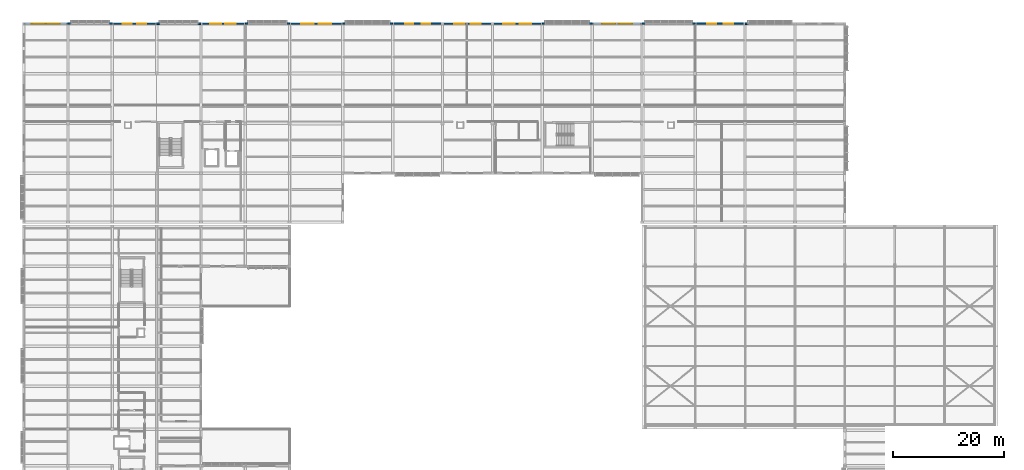
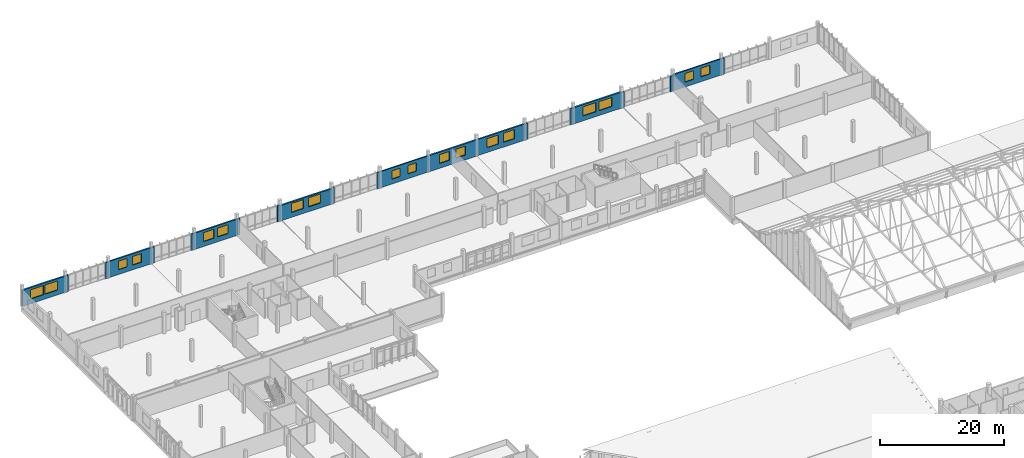
# One storey, part 174 of 182: 22 walls, 18 windows, 18 openings.
"""IFC4 building model written with IfcOpenShell, lengths in metres."""

from ifc_helpers import new_model, si_unit, direction, frame, frame_2d, origin, place, context, subcontext, project, spatial, rectangle, extrude, material, layer, layer_set, type_object, element, fill, save


model = new_model("IFC4")

# Units and contexts
model_context = context("Model", 3, precision=1e-05, world=origin(), true_north=direction((0.0, 1.0)))
body_context = subcontext(model_context, "Body", "Model", "MODEL_VIEW")
ifc_project = project(units=[si_unit("LENGTHUNIT", "METRE"), si_unit("AREAUNIT", "SQUARE_METRE"), si_unit("VOLUMEUNIT", "CUBIC_METRE"), si_unit("PLANEANGLEUNIT", "RADIAN"), si_unit("MASSUNIT", "GRAM", prefix="KILO")], contexts=[model_context])

# Site, building, storey
site_placement = place(None, origin())
site = spatial("IfcSite", under=ifc_project, at=site_placement, CompositionType="ELEMENT")
building_placement = place(site_placement, origin())
building = spatial("IfcBuilding", under=site, at=building_placement, Name="Chiffa Square Polytechnic", CompositionType="ELEMENT")
storey_placement = place(building_placement, frame((0.0, 0.0, 9.60009765625)))
storey = spatial("IfcBuildingStorey", under=building, at=storey_placement, Name="L02", CompositionType="ELEMENT", Elevation=9.60009765625)

# Wall, openings, windows
ifc_material_1 = material(Name="Precast concrete C40/50", Category="concrete")
ifc_layer_1 = layer(ifc_material_1, 0.260009765625, Name="Precast concrete C40/50")
ifc_layer_set_1 = layer_set([ifc_layer_1], Name="Precast concrete C40/50")
wall_type_1 = type_object("IfcWallType", Name="WL-EXT-PC260", PredefinedType="SOLIDWALL", material=ifc_layer_set_1)
wall_1_placement = place(storey_placement, frame((130.199951171875, 130.800048828125, 0.0), z_axis=(0.0, 0.0, 1.0), x_axis=(-1.0, 0.0, 0.0)))
wall_1 = element("IfcWall", 1, at=wall_1_placement, inside=storey, type_object=wall_type_1, Name="Exterior wall WE-V5-L02-0309", PredefinedType="SOLIDWALL", context=body_context, shape_type="SweptSolid", body=[
    extrude(rectangle(XDim=9.0, YDim=0.260009765625, at=frame_2d((4.5, 0.0))), origin(), (0.0, 0.0, 1.0), 3.1748046875),
])
opening_1_placement = place(wall_1_placement, frame((2.175048828125, 0.0, 0.949951171875)))
opening_1 = element("IfcOpeningElement", 2, at=opening_1_placement, cuts=wall_1, Name="Opening W-06", PredefinedType="OPENING", context=body_context, shape_type="SweptSolid", body=[
    extrude(rectangle(XDim=1.64990234375, YDim=1.699951171875, at=frame_2d((0.824951171875, 0.85009765625))), frame((0.0, 0.14013671875, 0.0), z_axis=(0.0, -1.0, 0.0), x_axis=(1.0, 0.0, 0.0)), (0.0, 0.0, 1.0), 0.280029296875),
])
opening_2_placement = place(wall_1_placement, frame((5.175048828125, 0.0, 0.949951171875)))
opening_2 = element("IfcOpeningElement", 3, at=opening_2_placement, cuts=wall_1, Name="Opening W-06", PredefinedType="OPENING", context=body_context, shape_type="SweptSolid", body=[
    extrude(rectangle(XDim=1.64990234375, YDim=1.699951171875, at=frame_2d((0.824951171875, 0.85009765625))), frame((0.0, 0.14013671875, 0.0), z_axis=(0.0, -1.0, 0.0), x_axis=(1.0, 0.0, 0.0)), (0.0, 0.0, 1.0), 0.280029296875),
])
ifc_material_2 = material(Name="Double glazing in thermally broken aluminium frame", Category="aluminium")
window_type_1 = type_object("IfcWindowType", Name="WIN-LAB-1650X1700", PartitioningType="DOUBLE_PANEL_VERTICAL", PredefinedType="WINDOW", material=ifc_material_2)
window_1_placement = place(opening_1_placement, origin())
window_1 = element("IfcWindow", 4, at=window_1_placement, inside=storey, type_object=window_type_1, Name="Facade window WN-L02-0201", OverallHeight=1.699951171875, OverallWidth=1.64990234375, PartitioningType="DOUBLE_PANEL_VERTICAL", PredefinedType="WINDOW", context=body_context, shape_type="SweptSolid", body=[
    extrude(rectangle(XDim=1.64990234375, YDim=1.699951171875, at=frame_2d((0.824951171875, 0.85009765625))), frame((0.0, 0.030029296875, 0.0), z_axis=(0.0, -1.0, 0.0), x_axis=(1.0, 0.0, 0.0)), (0.0, 0.0, 1.0), 0.06005859375),
])
fill(opening_1, window_1)
window_2_placement = place(opening_2_placement, origin())
window_2 = element("IfcWindow", 5, at=window_2_placement, inside=storey, type_object=window_type_1, Name="Facade window WN-L02-0202", OverallHeight=1.699951171875, OverallWidth=1.64990234375, PartitioningType="DOUBLE_PANEL_VERTICAL", PredefinedType="WINDOW", context=body_context, shape_type="SweptSolid", body=[
    extrude(rectangle(XDim=1.64990234375, YDim=1.699951171875, at=frame_2d((0.824951171875, 0.85009765625))), frame((0.0, 0.030029296875, 0.0), z_axis=(0.0, -1.0, 0.0), x_axis=(1.0, 0.0, 0.0)), (0.0, 0.0, 1.0), 0.06005859375),
])
fill(opening_2, window_2)

# Walls
wall_2_placement = place(storey_placement, frame((102.60009765625, 130.800048828125, 0.0), z_axis=(0.0, 0.0, 1.0), x_axis=(-1.0, 0.0, 0.0)))
element("IfcWall", 6, at=wall_2_placement, inside=storey, type_object=wall_type_1, Name="Facade column pier V5-L02-0312L", PredefinedType="SOLIDWALL", context=body_context, shape_type="SweptSolid", body=[
    extrude(rectangle(XDim=0.5400390625, YDim=0.260009765625, at=frame_2d((0.27001953125, 0.0))), origin(), (0.0, 0.0, 1.0), 3.1748046875),
])
wall_3_placement = place(storey_placement, frame((94.139892578125, 130.800048828125, 0.0), z_axis=(0.0, 0.0, 1.0), x_axis=(-1.0, 0.0, 0.0)))
element("IfcWall", 7, at=wall_3_placement, inside=storey, type_object=wall_type_1, Name="Facade column pier V5-L02-0312R", PredefinedType="SOLIDWALL", context=body_context, shape_type="SweptSolid", body=[
    extrude(rectangle(XDim=0.539794921875, YDim=0.260009765625, at=frame_2d((0.27001953125, 0.0))), origin(), (0.0, 0.0, 1.0), 3.1748046875),
])

# Wall, openings, windows
wall_4_placement = place(storey_placement, frame((75.60009765625, 130.800048828125, 0.0), z_axis=(0.0, 0.0, 1.0), x_axis=(-1.0, 0.0, 0.0)))
wall_4 = element("IfcWall", 8, at=wall_4_placement, inside=storey, type_object=wall_type_1, Name="Exterior wall WE-V5-L02-0315", PredefinedType="SOLIDWALL", context=body_context, shape_type="SweptSolid", body=[
    extrude(rectangle(XDim=9.0, YDim=0.260009765625, at=frame_2d((4.5, 0.0))), origin(), (0.0, 0.0, 1.0), 3.1748046875),
])
opening_3_placement = place(wall_4_placement, frame((2.25, 0.0, 0.949951171875)))
opening_3 = element("IfcOpeningElement", 9, at=opening_3_placement, cuts=wall_4, Name="Opening W-07", PredefinedType="OPENING", context=body_context, shape_type="SweptSolid", body=[
    extrude(rectangle(XDim=1.5, YDim=1.64990234375, at=frame_2d((0.75, 0.824951171875))), frame((0.0, 0.14013671875, 0.0), z_axis=(0.0, -1.0, 0.0), x_axis=(1.0, 0.0, 0.0)), (0.0, 0.0, 1.0), 0.280029296875),
])
opening_4_placement = place(wall_4_placement, frame((5.25, 0.0, 0.949951171875)))
opening_4 = element("IfcOpeningElement", 10, at=opening_4_placement, cuts=wall_4, Name="Opening W-07", PredefinedType="OPENING", context=body_context, shape_type="SweptSolid", body=[
    extrude(rectangle(XDim=1.5, YDim=1.64990234375, at=frame_2d((0.75, 0.824951171875))), frame((0.0, 0.14013671875, 0.0), z_axis=(0.0, -1.0, 0.0), x_axis=(1.0, 0.0, 0.0)), (0.0, 0.0, 1.0), 0.280029296875),
])
window_type_2 = type_object("IfcWindowType", Name="WIN-LAB-1500X1650", PartitioningType="DOUBLE_PANEL_VERTICAL", PredefinedType="WINDOW", material=ifc_material_2)
window_3_placement = place(opening_3_placement, origin())
window_3 = element("IfcWindow", 11, at=window_3_placement, inside=storey, type_object=window_type_2, Name="Facade window WN-L02-0209", OverallHeight=1.64990234375, OverallWidth=1.5, PartitioningType="DOUBLE_PANEL_VERTICAL", PredefinedType="WINDOW", context=body_context, shape_type="SweptSolid", body=[
    extrude(rectangle(XDim=1.5, YDim=1.64990234375, at=frame_2d((0.75, 0.824951171875))), frame((0.0, 0.030029296875, 0.0), z_axis=(0.0, -1.0, 0.0), x_axis=(1.0, 0.0, 0.0)), (0.0, 0.0, 1.0), 0.06005859375),
])
fill(opening_3, window_3)
window_4_placement = place(opening_4_placement, origin())
window_4 = element("IfcWindow", 12, at=window_4_placement, inside=storey, type_object=window_type_2, Name="Facade window WN-L02-0210", OverallHeight=1.64990234375, OverallWidth=1.5, PartitioningType="DOUBLE_PANEL_VERTICAL", PredefinedType="WINDOW", context=body_context, shape_type="SweptSolid", body=[
    extrude(rectangle(XDim=1.5, YDim=1.64990234375, at=frame_2d((0.75, 0.824951171875))), frame((0.0, 0.030029296875, 0.0), z_axis=(0.0, -1.0, 0.0), x_axis=(1.0, 0.0, 0.0)), (0.0, 0.0, 1.0), 0.06005859375),
])
fill(opening_4, window_4)

# Walls
for number, where, z_axis, x_axis, name in (
    (13, (48.0, 130.800048828125, 0.0), (0.0, 0.0, 1.0), (-1.0, 0.0, 0.0), "Facade column pier V5-L02-0318L"),
    (14, (40.5400390625, 130.800048828125, 0.0), (0.0, 0.0, 1.0), (-1.0, 0.0, 0.0), "Facade column pier V5-L02-0318R"),
):
    element("IfcWall", number, at=place(storey_placement, frame(where, z_axis=z_axis, x_axis=x_axis)), inside=storey, type_object=wall_type_1, Name=name, PredefinedType="SOLIDWALL", context=body_context, shape_type="SweptSolid", body=[
        extrude(rectangle(XDim=0.5400390625, YDim=0.260009765625, at=frame_2d((0.27001953125, 0.0))), origin(), (0.0, 0.0, 1.0), 3.1748046875),
    ])

# Wall, openings, windows
wall_5_placement = place(storey_placement, frame((24.0, 130.800048828125, 0.0), z_axis=(0.0, 0.0, 1.0), x_axis=(-1.0, 0.0, 0.0)))
wall_5 = element("IfcWall", 15, at=wall_5_placement, inside=storey, type_object=wall_type_1, Name="Exterior wall WE-V5-L02-0321", PredefinedType="SOLIDWALL", context=body_context, shape_type="SweptSolid", body=[
    extrude(rectangle(XDim=8.0, YDim=0.260009765625, at=frame_2d((4.0, 0.0))), origin(), (0.0, 0.0, 1.0), 3.1748046875),
])
opening_5_placement = place(wall_5_placement, frame((1.842041015625, 0.0, 0.949951171875)))
opening_5 = element("IfcOpeningElement", 16, at=opening_5_placement, cuts=wall_5, Name="Opening W-06", PredefinedType="OPENING", context=body_context, shape_type="SweptSolid", body=[
    extrude(rectangle(XDim=1.64990234375, YDim=1.699951171875, at=frame_2d((0.824951171875, 0.85009765625))), frame((0.0, 0.14013671875, 0.0), z_axis=(0.0, -1.0, 0.0), x_axis=(1.0, 0.0, 0.0)), (0.0, 0.0, 1.0), 0.280029296875),
])
opening_6_placement = place(wall_5_placement, frame((4.508056640625, 0.0, 0.949951171875)))
opening_6 = element("IfcOpeningElement", 17, at=opening_6_placement, cuts=wall_5, Name="Opening W-06", PredefinedType="OPENING", context=body_context, shape_type="SweptSolid", body=[
    extrude(rectangle(XDim=1.64990234375, YDim=1.699951171875, at=frame_2d((0.824951171875, 0.85009765625))), frame((0.0, 0.14013671875, 0.0), z_axis=(0.0, -1.0, 0.0), x_axis=(1.0, 0.0, 0.0)), (0.0, 0.0, 1.0), 0.280029296875),
])
window_5_placement = place(opening_5_placement, origin())
window_5 = element("IfcWindow", 18, at=window_5_placement, inside=storey, type_object=window_type_1, Name="Facade window WN-L02-0215", OverallHeight=1.699951171875, OverallWidth=1.64990234375, PartitioningType="DOUBLE_PANEL_VERTICAL", PredefinedType="WINDOW", context=body_context, shape_type="SweptSolid", body=[
    extrude(rectangle(XDim=1.64990234375, YDim=1.699951171875, at=frame_2d((0.824951171875, 0.85009765625))), frame((0.0, 0.030029296875, 0.0), z_axis=(0.0, -1.0, 0.0), x_axis=(1.0, 0.0, 0.0)), (0.0, 0.0, 1.0), 0.06005859375),
])
fill(opening_5, window_5)
window_6_placement = place(opening_6_placement, origin())
window_6 = element("IfcWindow", 19, at=window_6_placement, inside=storey, type_object=window_type_1, Name="Facade window WN-L02-0216", OverallHeight=1.699951171875, OverallWidth=1.64990234375, PartitioningType="DOUBLE_PANEL_VERTICAL", PredefinedType="WINDOW", context=body_context, shape_type="SweptSolid", body=[
    extrude(rectangle(XDim=1.64990234375, YDim=1.699951171875, at=frame_2d((0.824951171875, 0.85009765625))), frame((0.0, 0.030029296875, 0.0), z_axis=(0.0, -1.0, 0.0), x_axis=(1.0, 0.0, 0.0)), (0.0, 0.0, 1.0), 0.06005859375),
])
fill(opening_6, window_6)

# Walls
ifc_layer_2 = layer(ifc_material_1, 0.280029296875, Name="Precast concrete C40/50")
ifc_layer_set_2 = layer_set([ifc_layer_2], Name="Precast concrete C40/50")
wall_type_2 = type_object("IfcWallType", Name="WL-EXT-PC280", PredefinedType="SOLIDWALL", material=ifc_layer_set_2)
wall_6_placement = place(storey_placement, frame((121.199951171875, 130.800048828125, 0.0), z_axis=(0.0, 0.0, 1.0), x_axis=(-1.0, 0.0, 0.0)))
element("IfcWall", 20, at=wall_6_placement, inside=storey, type_object=wall_type_2, Name="Facade column pier V5-L02-0310L", PredefinedType="SOLIDWALL", context=body_context, shape_type="SweptSolid", body=[
    extrude(rectangle(XDim=0.5400390625, YDim=0.280029296875, at=frame_2d((0.27001953125, 0.0))), origin(), (0.0, 0.0, 1.0), 3.02490234375),
])
wall_7_placement = place(storey_placement, frame((112.139892578125, 130.800048828125, 0.0), z_axis=(0.0, 0.0, 1.0), x_axis=(-1.0, 0.0, 0.0)))
element("IfcWall", 21, at=wall_7_placement, inside=storey, type_object=wall_type_2, Name="Facade column pier V5-L02-0310R", PredefinedType="SOLIDWALL", context=body_context, shape_type="SweptSolid", body=[
    extrude(rectangle(XDim=0.539794921875, YDim=0.280029296875, at=frame_2d((0.27001953125, 0.0))), origin(), (0.0, 0.0, 1.0), 3.02490234375),
])

# Wall, openings, windows
wall_8_placement = place(storey_placement, frame((93.60009765625, 130.800048828125, 0.0), z_axis=(0.0, 0.0, 1.0), x_axis=(-1.0, 0.0, 0.0)))
wall_8 = element("IfcWall", 22, at=wall_8_placement, inside=storey, type_object=wall_type_2, Name="Exterior wall WE-V5-L02-0313", PredefinedType="SOLIDWALL", context=body_context, shape_type="SweptSolid", body=[
    extrude(rectangle(XDim=9.0, YDim=0.280029296875, at=frame_2d((4.5, 0.0))), origin(), (0.0, 0.0, 1.0), 3.1748046875),
])
opening_7_placement = place(wall_8_placement, frame((1.949951171875, 0.0, 0.949951171875)))
opening_7 = element("IfcOpeningElement", 23, at=opening_7_placement, cuts=wall_8, Name="Opening W-03", PredefinedType="OPENING", context=body_context, shape_type="SweptSolid", body=[
    extrude(rectangle(XDim=2.10009765625, YDim=1.800048828125, at=frame_2d((1.050048828125, 0.89990234375))), frame((0.0, 0.14990234375, 0.0), z_axis=(0.0, -1.0, 0.0), x_axis=(1.0, 0.0, 0.0)), (0.0, 0.0, 1.0), 0.300048828125),
])
opening_8_placement = place(wall_8_placement, frame((4.949951171875, 0.0, 0.949951171875)))
opening_8 = element("IfcOpeningElement", 24, at=opening_8_placement, cuts=wall_8, Name="Opening W-03", PredefinedType="OPENING", context=body_context, shape_type="SweptSolid", body=[
    extrude(rectangle(XDim=2.10009765625, YDim=1.800048828125, at=frame_2d((1.050048828125, 0.89990234375))), frame((0.0, 0.14990234375, 0.0), z_axis=(0.0, -1.0, 0.0), x_axis=(1.0, 0.0, 0.0)), (0.0, 0.0, 1.0), 0.300048828125),
])
window_type_3 = type_object("IfcWindowType", Name="WIN-LAB-2100X1800", PartitioningType="DOUBLE_PANEL_VERTICAL", PredefinedType="WINDOW", material=ifc_material_2)
window_7_placement = place(opening_7_placement, origin())
window_7 = element("IfcWindow", 25, at=window_7_placement, inside=storey, type_object=window_type_3, Name="Facade window WN-L02-0205", OverallHeight=1.800048828125, OverallWidth=2.10009765625, PartitioningType="DOUBLE_PANEL_VERTICAL", PredefinedType="WINDOW", context=body_context, shape_type="SweptSolid", body=[
    extrude(rectangle(XDim=2.10009765625, YDim=1.800048828125, at=frame_2d((1.050048828125, 0.89990234375))), frame((0.0, 0.030029296875, 0.0), z_axis=(0.0, -1.0, 0.0), x_axis=(1.0, 0.0, 0.0)), (0.0, 0.0, 1.0), 0.06005859375),
])
fill(opening_7, window_7)
window_8_placement = place(opening_8_placement, origin())
window_8 = element("IfcWindow", 26, at=window_8_placement, inside=storey, type_object=window_type_3, Name="Facade window WN-L02-0206", OverallHeight=1.800048828125, OverallWidth=2.10009765625, PartitioningType="DOUBLE_PANEL_VERTICAL", PredefinedType="WINDOW", context=body_context, shape_type="SweptSolid", body=[
    extrude(rectangle(XDim=2.10009765625, YDim=1.800048828125, at=frame_2d((1.050048828125, 0.89990234375))), frame((0.0, 0.030029296875, 0.0), z_axis=(0.0, -1.0, 0.0), x_axis=(1.0, 0.0, 0.0)), (0.0, 0.0, 1.0), 0.06005859375),
])
fill(opening_8, window_8)

# Walls
wall_9_placement = place(storey_placement, frame((66.60009765625, 130.800048828125, 0.0), z_axis=(0.0, 0.0, 1.0), x_axis=(-1.0, 0.0, 0.0)))
element("IfcWall", 27, at=wall_9_placement, inside=storey, type_object=wall_type_2, Name="Facade column pier V5-L02-0316L", PredefinedType="SOLIDWALL", context=body_context, shape_type="SweptSolid", body=[
    extrude(rectangle(XDim=0.5400390625, YDim=0.280029296875, at=frame_2d((0.27001953125, 0.0))), origin(), (0.0, 0.0, 1.0), 3.1748046875),
])
wall_10_placement = place(storey_placement, frame((58.139892578125, 130.800048828125, 0.0), z_axis=(0.0, 0.0, 1.0), x_axis=(-1.0, 0.0, 0.0)))
element("IfcWall", 28, at=wall_10_placement, inside=storey, type_object=wall_type_2, Name="Facade column pier V5-L02-0316R", PredefinedType="SOLIDWALL", context=body_context, shape_type="SweptSolid", body=[
    extrude(rectangle(XDim=0.539794921875, YDim=0.280029296875, at=frame_2d((0.27001953125, 0.0))), origin(), (0.0, 0.0, 1.0), 3.1748046875),
])

# Wall, openings, windows
wall_11_placement = place(storey_placement, frame((40.0, 130.800048828125, 0.0), z_axis=(0.0, 0.0, 1.0), x_axis=(-1.0, 0.0, 0.0)))
wall_11 = element("IfcWall", 29, at=wall_11_placement, inside=storey, type_object=wall_type_2, Name="Exterior wall WE-V5-L02-0319", PredefinedType="SOLIDWALL", context=body_context, shape_type="SweptSolid", body=[
    extrude(rectangle(XDim=8.0, YDim=0.280029296875, at=frame_2d((4.0, 0.0))), origin(), (0.0, 0.0, 1.0), 3.1748046875),
])
opening_9_placement = place(wall_11_placement, frame((1.69189453125, 0.0, 0.949951171875)))
opening_9 = element("IfcOpeningElement", 30, at=opening_9_placement, cuts=wall_11, Name="Opening W-04", PredefinedType="OPENING", context=body_context, shape_type="SweptSolid", body=[
    extrude(rectangle(XDim=1.949951171875, YDim=1.75, at=frame_2d((0.97509765625, 0.875))), frame((0.0, 0.14990234375, 0.0), z_axis=(0.0, -1.0, 0.0), x_axis=(1.0, 0.0, 0.0)), (0.0, 0.0, 1.0), 0.300048828125),
])
opening_10_placement = place(wall_11_placement, frame((4.35791015625, 0.0, 0.949951171875)))
opening_10 = element("IfcOpeningElement", 31, at=opening_10_placement, cuts=wall_11, Name="Opening W-04", PredefinedType="OPENING", context=body_context, shape_type="SweptSolid", body=[
    extrude(rectangle(XDim=1.949951171875, YDim=1.75, at=frame_2d((0.97509765625, 0.875))), frame((0.0, 0.14990234375, 0.0), z_axis=(0.0, -1.0, 0.0), x_axis=(1.0, 0.0, 0.0)), (0.0, 0.0, 1.0), 0.300048828125),
])
window_type_4 = type_object("IfcWindowType", Name="WIN-LAB-1950X1750", PartitioningType="DOUBLE_PANEL_VERTICAL", PredefinedType="WINDOW", material=ifc_material_2)
window_9_placement = place(opening_9_placement, origin())
window_9 = element("IfcWindow", 32, at=window_9_placement, inside=storey, type_object=window_type_4, Name="Facade window WN-L02-0213", OverallHeight=1.75, OverallWidth=1.949951171875, PartitioningType="DOUBLE_PANEL_VERTICAL", PredefinedType="WINDOW", context=body_context, shape_type="SweptSolid", body=[
    extrude(rectangle(XDim=1.949951171875, YDim=1.75, at=frame_2d((0.97509765625, 0.875))), frame((0.0, 0.030029296875, 0.0), z_axis=(0.0, -1.0, 0.0), x_axis=(1.0, 0.0, 0.0)), (0.0, 0.0, 1.0), 0.06005859375),
])
fill(opening_9, window_9)
window_10_placement = place(opening_10_placement, origin())
window_10 = element("IfcWindow", 33, at=window_10_placement, inside=storey, type_object=window_type_4, Name="Facade window WN-L02-0214", OverallHeight=1.75, OverallWidth=1.949951171875, PartitioningType="DOUBLE_PANEL_VERTICAL", PredefinedType="WINDOW", context=body_context, shape_type="SweptSolid", body=[
    extrude(rectangle(XDim=1.949951171875, YDim=1.75, at=frame_2d((0.97509765625, 0.875))), frame((0.0, 0.030029296875, 0.0), z_axis=(0.0, -1.0, 0.0), x_axis=(1.0, 0.0, 0.0)), (0.0, 0.0, 1.0), 0.06005859375),
])
fill(opening_10, window_10)

# Walls
for number, where, z_axis, x_axis, name in (
    (34, (16.0, 130.800048828125, 0.0), (0.0, 0.0, 1.0), (-1.0, 0.0, 0.0), "Facade column pier V5-L02-0322L"),
    (35, (8.5400390625, 130.800048828125, 0.0), (0.0, 0.0, 1.0), (-1.0, 0.0, 0.0), "Facade column pier V5-L02-0322R"),
):
    element("IfcWall", number, at=place(storey_placement, frame(where, z_axis=z_axis, x_axis=x_axis)), inside=storey, type_object=wall_type_2, Name=name, PredefinedType="SOLIDWALL", context=body_context, shape_type="SweptSolid", body=[
        extrude(rectangle(XDim=0.5400390625, YDim=0.280029296875, at=frame_2d((0.27001953125, 0.0))), origin(), (0.0, 0.0, 1.0), 3.1748046875),
    ])
ifc_layer_3 = layer(ifc_material_1, 0.320068359375, Name="Precast concrete C40/50")
ifc_layer_set_3 = layer_set([ifc_layer_3], Name="Precast concrete C40/50")
wall_type_3 = type_object("IfcWallType", Name="WL-EXT-PC320", PredefinedType="SOLIDWALL", material=ifc_layer_set_3)
wall_12_placement = place(storey_placement, frame((130.739990234375, 130.800048828125, 0.0), z_axis=(0.0, 0.0, 1.0), x_axis=(-1.0, 0.0, 0.0)))
element("IfcWall", 36, at=wall_12_placement, inside=storey, type_object=wall_type_3, Name="Facade column pier V5-L02-0308R", PredefinedType="SOLIDWALL", context=body_context, shape_type="SweptSolid", body=[
    extrude(rectangle(XDim=0.5400390625, YDim=0.320068359375, at=frame_2d((0.27001953125, 0.0))), origin(), (0.0, 0.0, 1.0), 3.1748046875),
])

# Wall, openings, windows
wall_13_placement = place(storey_placement, frame((111.60009765625, 130.800048828125, 0.0), z_axis=(0.0, 0.0, 1.0), x_axis=(-1.0, 0.0, 0.0)))
wall_13 = element("IfcWall", 37, at=wall_13_placement, inside=storey, type_object=wall_type_3, Name="Exterior wall WE-V5-L02-0311", PredefinedType="SOLIDWALL", context=body_context, shape_type="SweptSolid", body=[
    extrude(rectangle(XDim=9.0, YDim=0.320068359375, at=frame_2d((4.5, 0.0))), origin(), (0.0, 0.0, 1.0), 3.1748046875),
])
opening_11_placement = place(wall_13_placement, frame((1.800048828125, 0.0, 0.949951171875)))
opening_11 = element("IfcOpeningElement", 38, at=opening_11_placement, cuts=wall_13, Name="Opening W-01", PredefinedType="OPENING", context=body_context, shape_type="SweptSolid", body=[
    extrude(rectangle(XDim=2.39990234375, YDim=1.800048828125, at=frame_2d((1.199951171875, 0.89990234375))), frame((0.0, 0.169921875, 0.0), z_axis=(0.0, -1.0, 0.0), x_axis=(1.0, 0.0, 0.0)), (0.0, 0.0, 1.0), 0.340087890625),
])
opening_12_placement = place(wall_13_placement, frame((4.800048828125, 0.0, 0.949951171875)))
opening_12 = element("IfcOpeningElement", 39, at=opening_12_placement, cuts=wall_13, Name="Opening W-01", PredefinedType="OPENING", context=body_context, shape_type="SweptSolid", body=[
    extrude(rectangle(XDim=2.39990234375, YDim=1.800048828125, at=frame_2d((1.199951171875, 0.89990234375))), frame((0.0, 0.169921875, 0.0), z_axis=(0.0, -1.0, 0.0), x_axis=(1.0, 0.0, 0.0)), (0.0, 0.0, 1.0), 0.340087890625),
])
window_type_5 = type_object("IfcWindowType", Name="WIN-LAB-2400X1800", PartitioningType="DOUBLE_PANEL_VERTICAL", PredefinedType="WINDOW", material=ifc_material_2)
window_11_placement = place(opening_11_placement, origin())
window_11 = element("IfcWindow", 40, at=window_11_placement, inside=storey, type_object=window_type_5, Name="Facade window WN-L02-0203", OverallHeight=1.800048828125, OverallWidth=2.39990234375, PartitioningType="DOUBLE_PANEL_VERTICAL", PredefinedType="WINDOW", context=body_context, shape_type="SweptSolid", body=[
    extrude(rectangle(XDim=2.39990234375, YDim=1.800048828125, at=frame_2d((1.199951171875, 0.89990234375))), frame((0.0, 0.030029296875, 0.0), z_axis=(0.0, -1.0, 0.0), x_axis=(1.0, 0.0, 0.0)), (0.0, 0.0, 1.0), 0.06005859375),
])
fill(opening_11, window_11)
window_12_placement = place(opening_12_placement, origin())
window_12 = element("IfcWindow", 41, at=window_12_placement, inside=storey, type_object=window_type_5, Name="Facade window WN-L02-0204", OverallHeight=1.800048828125, OverallWidth=2.39990234375, PartitioningType="DOUBLE_PANEL_VERTICAL", PredefinedType="WINDOW", context=body_context, shape_type="SweptSolid", body=[
    extrude(rectangle(XDim=2.39990234375, YDim=1.800048828125, at=frame_2d((1.199951171875, 0.89990234375))), frame((0.0, 0.030029296875, 0.0), z_axis=(0.0, -1.0, 0.0), x_axis=(1.0, 0.0, 0.0)), (0.0, 0.0, 1.0), 0.06005859375),
])
fill(opening_12, window_12)

wall_14_placement = place(storey_placement, frame((84.60009765625, 130.800048828125, 0.0), z_axis=(0.0, 0.0, 1.0), x_axis=(-1.0, 0.0, 0.0)))
wall_14 = element("IfcWall", 42, at=wall_14_placement, inside=storey, type_object=wall_type_3, Name="Exterior wall WE-V5-L02-0314", PredefinedType="SOLIDWALL", context=body_context, shape_type="SweptSolid", body=[
    extrude(rectangle(XDim=9.0, YDim=0.320068359375, at=frame_2d((4.5, 0.0))), origin(), (0.0, 0.0, 1.0), 3.1748046875),
])
opening_13_placement = place(wall_14_placement, frame((2.10009765625, 0.0, 0.949951171875)))
opening_13 = element("IfcOpeningElement", 43, at=opening_13_placement, cuts=wall_14, Name="Opening W-05", PredefinedType="OPENING", context=body_context, shape_type="SweptSolid", body=[
    extrude(rectangle(XDim=1.800048828125, YDim=1.75, at=frame_2d((0.89990234375, 0.875))), frame((0.0, 0.169921875, 0.0), z_axis=(0.0, -1.0, 0.0), x_axis=(1.0, 0.0, 0.0)), (0.0, 0.0, 1.0), 0.340087890625),
])
opening_14_placement = place(wall_14_placement, frame((5.10009765625, 0.0, 0.949951171875)))
opening_14 = element("IfcOpeningElement", 44, at=opening_14_placement, cuts=wall_14, Name="Opening W-05", PredefinedType="OPENING", context=body_context, shape_type="SweptSolid", body=[
    extrude(rectangle(XDim=1.800048828125, YDim=1.75, at=frame_2d((0.89990234375, 0.875))), frame((0.0, 0.169921875, 0.0), z_axis=(0.0, -1.0, 0.0), x_axis=(1.0, 0.0, 0.0)), (0.0, 0.0, 1.0), 0.340087890625),
])
window_type_6 = type_object("IfcWindowType", Name="WIN-LAB-1800X1750", PartitioningType="DOUBLE_PANEL_VERTICAL", PredefinedType="WINDOW", material=ifc_material_2)
window_13_placement = place(opening_13_placement, origin())
window_13 = element("IfcWindow", 45, at=window_13_placement, inside=storey, type_object=window_type_6, Name="Facade window WN-L02-0207", OverallHeight=1.75, OverallWidth=1.800048828125, PartitioningType="DOUBLE_PANEL_VERTICAL", PredefinedType="WINDOW", context=body_context, shape_type="SweptSolid", body=[
    extrude(rectangle(XDim=1.800048828125, YDim=1.75, at=frame_2d((0.89990234375, 0.875))), frame((0.0, 0.030029296875, 0.0), z_axis=(0.0, -1.0, 0.0), x_axis=(1.0, 0.0, 0.0)), (0.0, 0.0, 1.0), 0.06005859375),
])
fill(opening_13, window_13)
window_14_placement = place(opening_14_placement, origin())
window_14 = element("IfcWindow", 46, at=window_14_placement, inside=storey, type_object=window_type_6, Name="Facade window WN-L02-0208", OverallHeight=1.75, OverallWidth=1.800048828125, PartitioningType="DOUBLE_PANEL_VERTICAL", PredefinedType="WINDOW", context=body_context, shape_type="SweptSolid", body=[
    extrude(rectangle(XDim=1.800048828125, YDim=1.75, at=frame_2d((0.89990234375, 0.875))), frame((0.0, 0.030029296875, 0.0), z_axis=(0.0, -1.0, 0.0), x_axis=(1.0, 0.0, 0.0)), (0.0, 0.0, 1.0), 0.06005859375),
])
fill(opening_14, window_14)

wall_15_placement = place(storey_placement, frame((57.60009765625, 130.800048828125, 0.0), z_axis=(0.0, 0.0, 1.0), x_axis=(-1.0, 0.0, 0.0)))
wall_15 = element("IfcWall", 47, at=wall_15_placement, inside=storey, type_object=wall_type_3, Name="Exterior wall WE-V5-L02-0317", PredefinedType="SOLIDWALL", context=body_context, shape_type="SweptSolid", body=[
    extrude(rectangle(XDim=9.60009765625, YDim=0.320068359375, at=frame_2d((4.800048828125, 0.0))), origin(), (0.0, 0.0, 1.0), 3.02490234375),
])
opening_15_placement = place(wall_15_placement, frame((2.074951171875, 0.0, 0.949951171875)))
opening_15 = element("IfcOpeningElement", 48, at=opening_15_placement, cuts=wall_15, Name="Opening W-02", PredefinedType="OPENING", context=body_context, shape_type="SweptSolid", body=[
    extrude(rectangle(XDim=2.25, YDim=1.800048828125, at=frame_2d((1.125, 0.89990234375))), frame((0.0, 0.169921875, 0.0), z_axis=(0.0, -1.0, 0.0), x_axis=(1.0, 0.0, 0.0)), (0.0, 0.0, 1.0), 0.340087890625),
])
opening_16_placement = place(wall_15_placement, frame((5.27490234375, 0.0, 0.949951171875)))
opening_16 = element("IfcOpeningElement", 49, at=opening_16_placement, cuts=wall_15, Name="Opening W-02", PredefinedType="OPENING", context=body_context, shape_type="SweptSolid", body=[
    extrude(rectangle(XDim=2.25, YDim=1.800048828125, at=frame_2d((1.125, 0.89990234375))), frame((0.0, 0.169921875, 0.0), z_axis=(0.0, -1.0, 0.0), x_axis=(1.0, 0.0, 0.0)), (0.0, 0.0, 1.0), 0.340087890625),
])
window_type_7 = type_object("IfcWindowType", Name="WIN-LAB-2250X1800", PartitioningType="DOUBLE_PANEL_VERTICAL", PredefinedType="WINDOW", material=ifc_material_2)
window_15_placement = place(opening_15_placement, origin())
window_15 = element("IfcWindow", 50, at=window_15_placement, inside=storey, type_object=window_type_7, Name="Facade window WN-L02-0211", OverallHeight=1.800048828125, OverallWidth=2.25, PartitioningType="DOUBLE_PANEL_VERTICAL", PredefinedType="WINDOW", context=body_context, shape_type="SweptSolid", body=[
    extrude(rectangle(XDim=2.25, YDim=1.800048828125, at=frame_2d((1.125, 0.89990234375))), frame((0.0, 0.030029296875, 0.0), z_axis=(0.0, -1.0, 0.0), x_axis=(1.0, 0.0, 0.0)), (0.0, 0.0, 1.0), 0.06005859375),
])
fill(opening_15, window_15)
window_16_placement = place(opening_16_placement, origin())
window_16 = element("IfcWindow", 51, at=window_16_placement, inside=storey, type_object=window_type_7, Name="Facade window WN-L02-0212", OverallHeight=1.800048828125, OverallWidth=2.25, PartitioningType="DOUBLE_PANEL_VERTICAL", PredefinedType="WINDOW", context=body_context, shape_type="SweptSolid", body=[
    extrude(rectangle(XDim=2.25, YDim=1.800048828125, at=frame_2d((1.125, 0.89990234375))), frame((0.0, 0.030029296875, 0.0), z_axis=(0.0, -1.0, 0.0), x_axis=(1.0, 0.0, 0.0)), (0.0, 0.0, 1.0), 0.06005859375),
])
fill(opening_16, window_16)

# Walls
for number, where, z_axis, x_axis, name in (
    (52, (32.0, 130.800048828125, 0.0), (0.0, 0.0, 1.0), (-1.0, 0.0, 0.0), "Facade column pier V5-L02-0320L"),
    (53, (24.5400390625, 130.800048828125, 0.0), (0.0, 0.0, 1.0), (-1.0, 0.0, 0.0), "Facade column pier V5-L02-0320R"),
):
    element("IfcWall", number, at=place(storey_placement, frame(where, z_axis=z_axis, x_axis=x_axis)), inside=storey, type_object=wall_type_3, Name=name, PredefinedType="SOLIDWALL", context=body_context, shape_type="SweptSolid", body=[
        extrude(rectangle(XDim=0.5400390625, YDim=0.320068359375, at=frame_2d((0.27001953125, 0.0))), origin(), (0.0, 0.0, 1.0), 3.1748046875),
    ])

# Wall, openings, windows
wall_16_placement = place(storey_placement, frame((8.0, 130.800048828125, 0.0), z_axis=(0.0, 0.0, 1.0), x_axis=(-1.0, 0.0, 0.0)))
wall_16 = element("IfcWall", 54, at=wall_16_placement, inside=storey, type_object=wall_type_3, Name="Exterior wall WE-V5-L02-0323", PredefinedType="SOLIDWALL", context=body_context, shape_type="SweptSolid", body=[
    extrude(rectangle(XDim=8.0, YDim=0.320068359375, at=frame_2d((4.0, 0.0))), origin(), (0.0, 0.0, 1.0), 3.1748046875),
])
opening_17_placement = place(wall_16_placement, frame((1.467041015625, 0.0, 0.949951171875)))
opening_17 = element("IfcOpeningElement", 55, at=opening_17_placement, cuts=wall_16, Name="Opening W-01", PredefinedType="OPENING", context=body_context, shape_type="SweptSolid", body=[
    extrude(rectangle(XDim=2.39990234375, YDim=1.800048828125, at=frame_2d((1.199951171875, 0.89990234375))), frame((0.0, 0.169921875, 0.0), z_axis=(0.0, -1.0, 0.0), x_axis=(1.0, 0.0, 0.0)), (0.0, 0.0, 1.0), 0.340087890625),
])
opening_18_placement = place(wall_16_placement, frame((4.133056640625, 0.0, 0.949951171875)))
opening_18 = element("IfcOpeningElement", 56, at=opening_18_placement, cuts=wall_16, Name="Opening W-01", PredefinedType="OPENING", context=body_context, shape_type="SweptSolid", body=[
    extrude(rectangle(XDim=2.39990234375, YDim=1.800048828125, at=frame_2d((1.199951171875, 0.89990234375))), frame((0.0, 0.169921875, 0.0), z_axis=(0.0, -1.0, 0.0), x_axis=(1.0, 0.0, 0.0)), (0.0, 0.0, 1.0), 0.340087890625),
])
window_17_placement = place(opening_17_placement, origin())
window_17 = element("IfcWindow", 57, at=window_17_placement, inside=storey, type_object=window_type_5, Name="Facade window WN-L02-0217", OverallHeight=1.800048828125, OverallWidth=2.39990234375, PartitioningType="DOUBLE_PANEL_VERTICAL", PredefinedType="WINDOW", context=body_context, shape_type="SweptSolid", body=[
    extrude(rectangle(XDim=2.39990234375, YDim=1.800048828125, at=frame_2d((1.199951171875, 0.89990234375))), frame((0.0, 0.030029296875, 0.0), z_axis=(0.0, -1.0, 0.0), x_axis=(1.0, 0.0, 0.0)), (0.0, 0.0, 1.0), 0.06005859375),
])
fill(opening_17, window_17)
window_18_placement = place(opening_18_placement, origin())
window_18 = element("IfcWindow", 58, at=window_18_placement, inside=storey, type_object=window_type_5, Name="Facade window WN-L02-0218", OverallHeight=1.800048828125, OverallWidth=2.39990234375, PartitioningType="DOUBLE_PANEL_VERTICAL", PredefinedType="WINDOW", context=body_context, shape_type="SweptSolid", body=[
    extrude(rectangle(XDim=2.39990234375, YDim=1.800048828125, at=frame_2d((1.199951171875, 0.89990234375))), frame((0.0, 0.030029296875, 0.0), z_axis=(0.0, -1.0, 0.0), x_axis=(1.0, 0.0, 0.0)), (0.0, 0.0, 1.0), 0.06005859375),
])
fill(opening_18, window_18)

save(model, "model.ifc")
